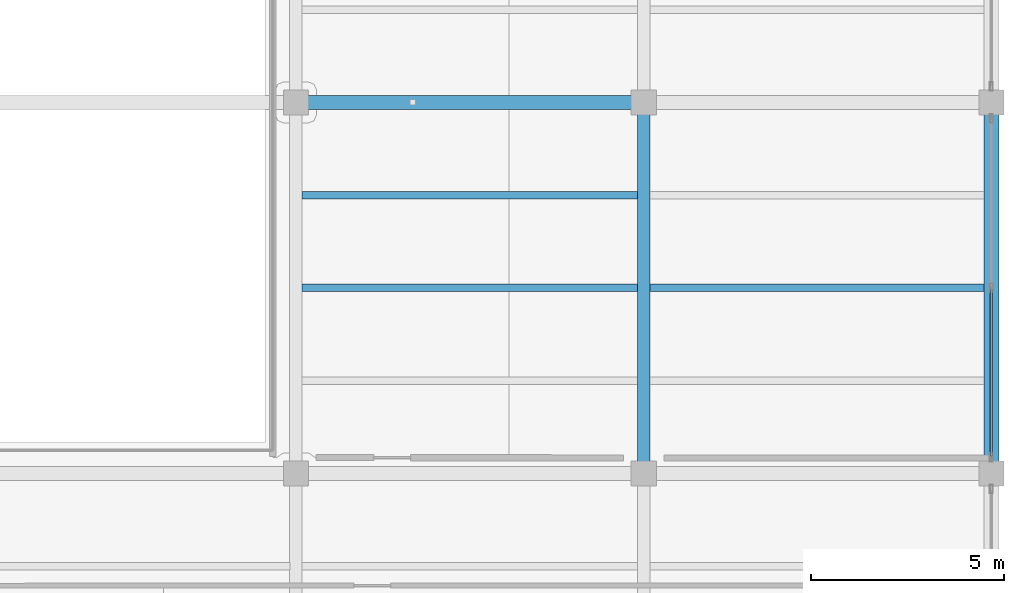
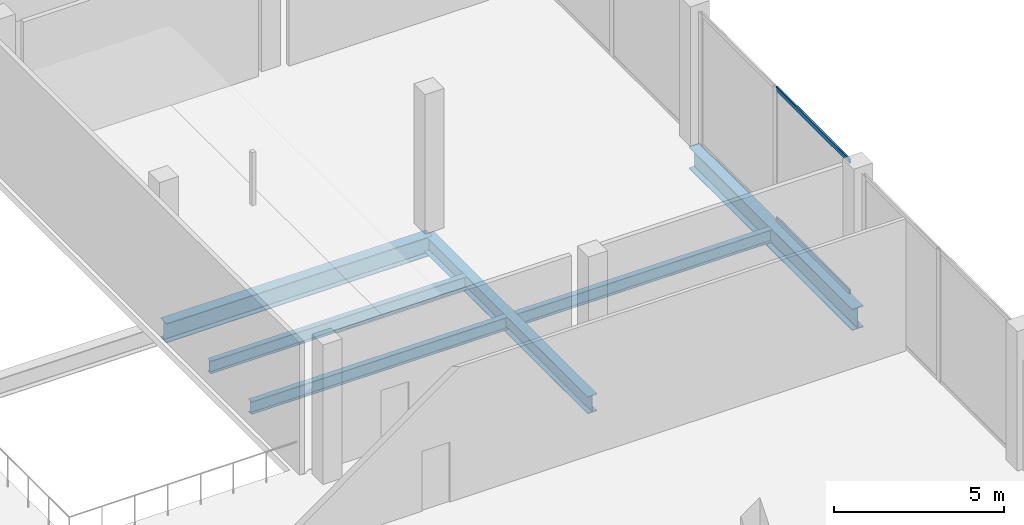
# One storey, part 17 of 46: 6 beams, 2 members, 1 element without a shape of its own.
"""IFC4 building model written with IfcOpenShell, lengths in metres."""

from ifc_helpers import new_model, si_unit, direction, frame, origin, origin_2d, place, context, subcontext, project, spatial, hollow_rectangle, i_section, extrude, material, layer, layer_set, material_profile, profile_set, type_object, element, aggregate, save


model = new_model("IFC4")

# Units and contexts
model_context = context("Model", 3, precision=1e-05, world=origin(), true_north=direction((0.0, 1.0)))
body_context = subcontext(model_context, "Body", "Model", "MODEL_VIEW")
ifc_project = project(units=[si_unit("LENGTHUNIT", "METRE"), si_unit("AREAUNIT", "SQUARE_METRE"), si_unit("VOLUMEUNIT", "CUBIC_METRE"), si_unit("PLANEANGLEUNIT", "RADIAN"), si_unit("MASSUNIT", "GRAM", prefix="KILO")], contexts=[model_context])

# Site, building, storey
site_placement = place(None, origin())
site = spatial("IfcSite", under=ifc_project, at=site_placement, CompositionType="ELEMENT")
building_placement = place(site_placement, origin())
building = spatial("IfcBuilding", under=site, at=building_placement, Name="Qorvath Tower", CompositionType="ELEMENT")
storey_placement = place(building_placement, frame((0.0, 0.0, 17.0)))
storey = spatial("IfcBuildingStorey", under=building, at=storey_placement, Name="L03", CompositionType="ELEMENT", Elevation=17.0)

# Beams
ifc_material_1 = material(Name="Steel ASTM A992 Grade 50", Category="steel")
ifc_material_profile_1 = material_profile(ifc_material_1, i_section(OverallWidth=0.381103515625, OverallDepth=0.77294921875, WebThickness=0.0166015625, FlangeThickness=0.027099609375, FilletRadius=0.01904296875, at=origin_2d()), Name="W30x173")
ifc_profile_set_1 = profile_set([ifc_material_profile_1], Name="Steel ASTM A992 Grade 50")
beam_type_1 = type_object("IfcBeamType", Name="BM-FG3", PredefinedType="BEAM", material=ifc_profile_set_1)
beam_1_placement = place(storey_placement, frame((77.39990234375, -9.60009765625, -0.646484375), z_axis=(0.0, 1.0, 0.0), x_axis=(-1.0, 0.0, 0.0)))
element("IfcBeam", 1, at=beam_1_placement, inside=storey, type_object=beam_type_1, Name="Library N-S Girder L03-6-4", PredefinedType="BEAM", context=body_context, shape_type="SweptSolid", body=[
    extrude(i_section(OverallWidth=0.381103515625, OverallDepth=0.77294921875, WebThickness=0.0166015625, FlangeThickness=0.027099609375, FilletRadius=0.01904296875, at=origin_2d()), origin(), (0.0, 0.0, 1.0), 9.60009765625),
])
ifc_material_2 = material(Name="Steel ASTM A992 Grade 50", Category="steel")
ifc_material_profile_2 = material_profile(ifc_material_2, i_section(OverallWidth=0.35595703125, OverallDepth=0.696044921875, WebThickness=0.015380859375, FlangeThickness=0.02490234375, FilletRadius=0.01806640625, at=origin_2d()), Name="W27x146")
ifc_profile_set_2 = profile_set([ifc_material_profile_2], Name="Steel ASTM A992 Grade 50")
beam_type_2 = type_object("IfcBeamType", Name="BM-FG4", PredefinedType="BEAM", material=ifc_profile_set_2)
beam_2_placement = place(storey_placement, frame((59.39990234375, 0.0, -0.60791015625), z_axis=(1.0, 0.0, 0.0), x_axis=(0.0, 1.0, 0.0)))
element("IfcBeam", 2, at=beam_2_placement, inside=storey, type_object=beam_type_2, Name="Library E-W Girder L03-5-4", PredefinedType="BEAM", context=body_context, shape_type="SweptSolid", body=[
    extrude(i_section(OverallWidth=0.35595703125, OverallDepth=0.696044921875, WebThickness=0.015380859375, FlangeThickness=0.02490234375, FilletRadius=0.01806640625, at=origin_2d()), origin(), (0.0, 0.0, 1.0), 9.0),
])
ifc_material_3 = material(Name="Steel ASTM A992 Grade 50", Category="steel")
ifc_material_profile_3 = material_profile(ifc_material_3, i_section(OverallWidth=0.324951171875, OverallDepth=0.615966796875, WebThickness=0.013916015625, FlangeThickness=0.021484375, FilletRadius=0.01611328125, at=origin_2d()), Name="W24x117")
ifc_profile_set_3 = profile_set([ifc_material_profile_3], Name="Steel ASTM A992 Grade 50")
beam_type_3 = type_object("IfcBeamType", Name="BM-FG5", PredefinedType="BEAM", material=ifc_profile_set_3)
beam_3_placement = place(storey_placement, frame((68.39990234375, -9.60009765625, -0.568115234375), z_axis=(0.0, 1.0, 0.0), x_axis=(-1.0, 0.0, 0.0)))
element("IfcBeam", 3, at=beam_3_placement, inside=storey, type_object=beam_type_3, Name="Library N-S Girder L03-5-4", PredefinedType="BEAM", context=body_context, shape_type="SweptSolid", body=[
    extrude(i_section(OverallWidth=0.324951171875, OverallDepth=0.615966796875, WebThickness=0.013916015625, FlangeThickness=0.021484375, FilletRadius=0.01611328125, at=origin_2d()), origin(), (0.0, 0.0, 1.0), 9.60009765625),
])
ifc_material_4 = material(Name="Steel ASTM A992 Grade 50", Category="steel")
ifc_material_profile_4 = material_profile(ifc_material_4, i_section(OverallWidth=0.18994140625, OverallDepth=0.45703125, WebThickness=0.009033203125, FlangeThickness=0.014404296875, FilletRadius=0.011962890625, at=origin_2d()), Name="W18x50")
ifc_profile_set_4 = profile_set([ifc_material_profile_4], Name="Steel ASTM A992 Grade 50")
beam_type_4 = type_object("IfcBeamType", Name="BM-FJ2", PredefinedType="JOIST", material=ifc_profile_set_4)
beam_4_placement = place(storey_placement, frame((59.560546875, -4.800048828125, -0.488525390625), z_axis=(1.0, 0.0, 0.0), x_axis=(0.0, 1.0, 0.0)))
element("IfcBeam", 4, at=beam_4_placement, inside=storey, type_object=beam_type_4, Name="Library Stack Joist L03-4.2-4", PredefinedType="JOIST", context=body_context, shape_type="SweptSolid", body=[
    extrude(i_section(OverallWidth=0.18994140625, OverallDepth=0.45703125, WebThickness=0.009033203125, FlangeThickness=0.014404296875, FilletRadius=0.011962890625, at=origin_2d()), origin(), (0.0, 0.0, 1.0), 8.678955078125),
])
beam_5_placement = place(storey_placement, frame((68.560546875, -4.800048828125, -0.488525390625), z_axis=(1.0, 0.0, 0.0), x_axis=(0.0, 1.0, 0.0)))
element("IfcBeam", 5, at=beam_5_placement, inside=storey, type_object=beam_type_4, Name="Library Stack Joist L03-4.2-5", PredefinedType="JOIST", context=body_context, shape_type="SweptSolid", body=[
    extrude(i_section(OverallWidth=0.18994140625, OverallDepth=0.45703125, WebThickness=0.009033203125, FlangeThickness=0.014404296875, FilletRadius=0.011962890625, at=origin_2d()), origin(), (0.0, 0.0, 1.0), 8.65087890625),
])
beam_6_placement = place(storey_placement, frame((59.560546875, -2.39990234375, -0.488525390625), z_axis=(1.0, 0.0, 0.0), x_axis=(0.0, 1.0, 0.0)))
element("IfcBeam", 6, at=beam_6_placement, inside=storey, type_object=beam_type_4, Name="Library Stack Joist L03-4.3-4", PredefinedType="JOIST", context=body_context, shape_type="SweptSolid", body=[
    extrude(i_section(OverallWidth=0.18994140625, OverallDepth=0.45703125, WebThickness=0.009033203125, FlangeThickness=0.014404296875, FilletRadius=0.011962890625, at=origin_2d()), origin(), (0.0, 0.0, 1.0), 8.678955078125),
])

# Curtain wall, members
ifc_material_5 = material(Name="Anodised aluminium and triple low-E glass", Category="aluminium")
ifc_layer = layer(ifc_material_5, 0.179931640625)
ifc_layer_set = layer_set([ifc_layer], Name="CW-SYS-6")
curtain_wall_type = type_object("IfcCurtainWallType", Name="CW-SYS-6", PredefinedType="NOTDEFINED", material=ifc_layer_set)
curtain_wall_placement = place(storey_placement, origin())
curtain_wall = element("IfcCurtainWall", 7, at=curtain_wall_placement, inside=storey, type_object=curtain_wall_type, Name="Curtain Wall CW-6 CW-LIB-E-L03-4", PredefinedType="NOTDEFINED")
ifc_material_6 = material(Name="Anodised aluminium 6063-T6", Category="aluminium")
ifc_material_profile_5 = material_profile(ifc_material_6, hollow_rectangle(XDim=0.06494140625, YDim=0.159912109375, WallThickness=0.00341796875, InnerFilletRadius=0.00341796875, OuterFilletRadius=0.007080078125, at=origin_2d()), Name="CWT 160x65")
ifc_profile_set_5 = profile_set([ifc_material_profile_5], Name="Anodised aluminium 6063-T6")
member_type = type_object("IfcMemberType", Name="CWT-160", PredefinedType="USERDEFINED", material=ifc_profile_set_5)
member_1_placement = place(storey_placement, frame((77.39990234375, -9.14990234375, 0.032470703125), z_axis=(0.0, 1.0, 0.0), x_axis=(-1.0, 0.0, 0.0)))
member_1 = element("IfcMember", 8, at=member_1_placement, type_object=member_type, Name="CW-6 transom 1.1", ObjectType="TRANSOM", PredefinedType="USERDEFINED", context=body_context, shape_type="SweptSolid", body=[
    extrude(hollow_rectangle(XDim=0.06494140625, YDim=0.159912109375, WallThickness=0.00341796875, InnerFilletRadius=0.00341796875, OuterFilletRadius=0.007080078125, at=origin_2d()), origin(), (0.0, 0.0, 1.0), 4.309814453125),
])
member_2_placement = place(storey_placement, frame((77.39990234375, -9.14990234375, 4.70751953125), z_axis=(0.0, 1.0, 0.0), x_axis=(-1.0, 0.0, 0.0)))
member_2 = element("IfcMember", 9, at=member_2_placement, type_object=member_type, Name="CW-6 transom 1.2", ObjectType="TRANSOM", PredefinedType="USERDEFINED", context=body_context, shape_type="SweptSolid", body=[
    extrude(hollow_rectangle(XDim=0.06494140625, YDim=0.159912109375, WallThickness=0.00341796875, InnerFilletRadius=0.00341796875, OuterFilletRadius=0.007080078125, at=origin_2d()), origin(), (0.0, 0.0, 1.0), 4.309814453125),
])
aggregate(curtain_wall, [member_1, member_2])

save(model, "model.ifc")
